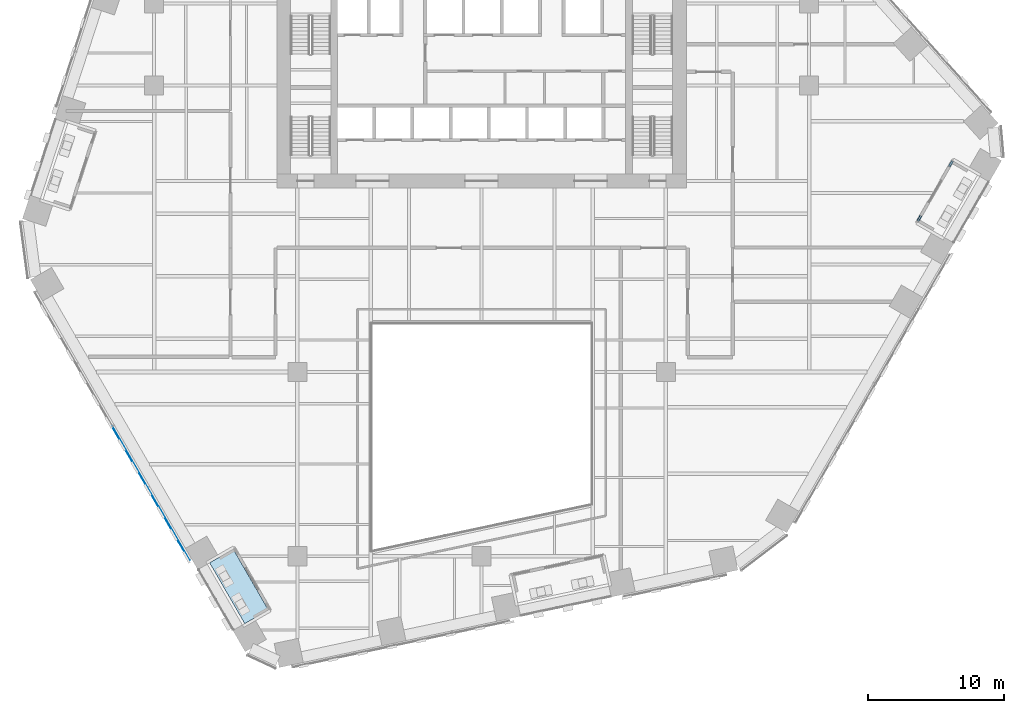
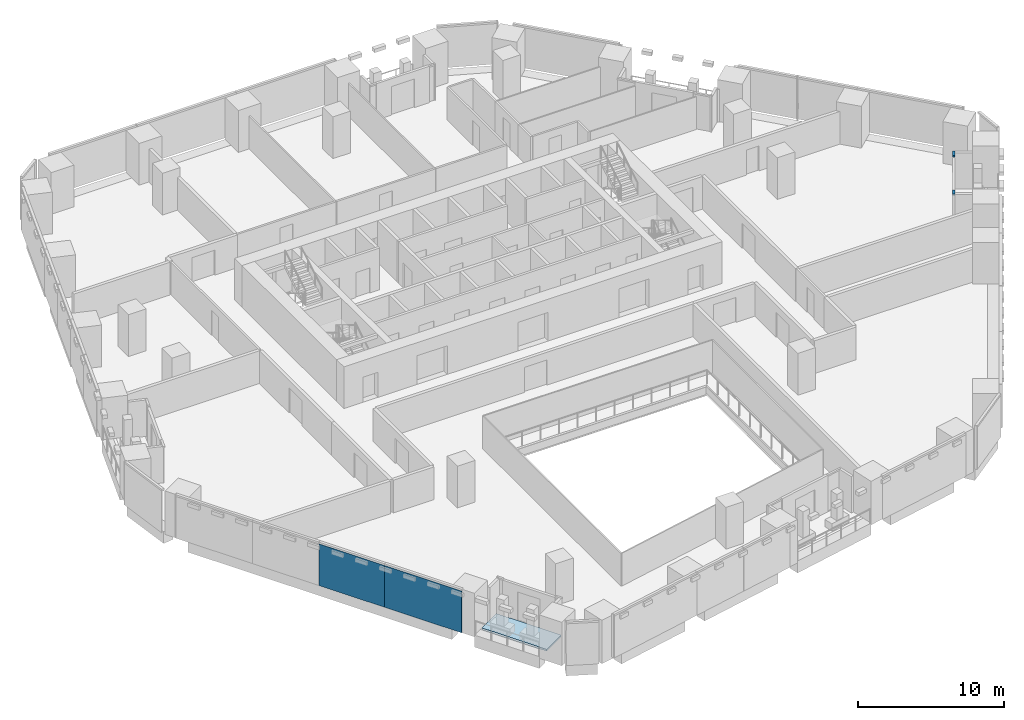
# One storey, part 15 of 31: 2 members, 2 plates, 1 slab, 2 elements without a shape of their own.
"""IFC4 building model written with IfcOpenShell, lengths in metres."""

from ifc_helpers import new_model, si_unit, direction, frame, origin, origin_2d, place, context, subcontext, project, spatial, polyline, rectangle, outline, extrude, material, layer, layer_set, material_profile, profile_set, type_object, element, aggregate, save


model = new_model("IFC4")

# Units and contexts
model_context = context("Model", 3, precision=1e-05, world=origin(), true_north=direction((0.0, 1.0)))
body_context = subcontext(model_context, "Body", "Model", "MODEL_VIEW")
ifc_project = project(units=[si_unit("LENGTHUNIT", "METRE"), si_unit("AREAUNIT", "SQUARE_METRE"), si_unit("VOLUMEUNIT", "CUBIC_METRE"), si_unit("PLANEANGLEUNIT", "RADIAN"), si_unit("MASSUNIT", "GRAM", prefix="KILO")], contexts=[model_context])

# Site, building, storey
site_placement = place(None, origin())
site = spatial("IfcSite", under=ifc_project, at=site_placement, CompositionType="ELEMENT")
building_placement = place(site_placement, origin())
building = spatial("IfcBuilding", under=site, at=building_placement, Name="Isthmus Gate Tower", CompositionType="ELEMENT")
storey_placement = place(building_placement, frame((0.0, 0.0, 39.64990234375)))
storey = spatial("IfcBuildingStorey", under=building, at=storey_placement, Name="L07", CompositionType="ELEMENT", Elevation=39.64990234375)

# Curtain wall, members
ifc_material_1 = material(Name="Aluminium, pale champagne anodised", Category="aluminium")
ifc_layer_1 = layer(ifc_material_1, 0.14990234375)
ifc_layer_set_1 = layer_set([ifc_layer_1], Name="CW-6 LOGGIA BACK WALL GLAZING 150 DEEP")
curtain_wall_type_1 = type_object("IfcCurtainWallType", Name="CW-6 LOGGIA BACK WALL GLAZING 150 DEEP", PredefinedType="NOTDEFINED", material=ifc_layer_set_1)
curtain_wall_1_placement = place(storey_placement, origin())
curtain_wall_1 = element("IfcCurtainWall", 1, at=curtain_wall_1_placement, inside=storey, type_object=curtain_wall_type_1, Name="CW-6 SE L07", PredefinedType="NOTDEFINED")
ifc_material_2 = material(Name="Aluminium, pale champagne anodised", Category="aluminium")
ifc_material_profile = material_profile(ifc_material_2, rectangle(XDim=0.14990234375, YDim=0.1201171875, at=origin_2d()), Name="150x120")
ifc_profile_set = profile_set([ifc_material_profile], Name="Aluminium, pale champagne anodised")
member_type = type_object("IfcMemberType", Name="CW-6 TRANSOM 150 X 120", PredefinedType="USERDEFINED", material=ifc_profile_set)
member_1_placement = place(storey_placement, frame((31.96142578125, -2.441162109375, 2.989990234375), z_axis=(0.499898558967, 0.866083962871, 0.0), x_axis=(-0.866083962871, 0.499898558967, 0.0)))
member_1 = element("IfcMember", 2, at=member_1_placement, type_object=member_type, Name="CW-6 transom", ObjectType="TRANSOM", PredefinedType="USERDEFINED", context=body_context, shape_type="SweptSolid", body=[
    extrude(rectangle(XDim=0.14990234375, YDim=0.1201171875, at=origin_2d()), origin(), (0.0, 0.0, 1.0), 0.43994140625),
])
member_2_placement = place(storey_placement, frame((34.266357421875, 1.55078125, 2.989990234375), z_axis=(0.499919672301, 0.866071776036, 0.0), x_axis=(-0.866071776036, 0.499919672301, 0.0)))
member_2 = element("IfcMember", 3, at=member_2_placement, type_object=member_type, Name="CW-6 transom", ObjectType="TRANSOM", PredefinedType="USERDEFINED", context=body_context, shape_type="SweptSolid", body=[
    extrude(rectangle(XDim=0.14990234375, YDim=0.1201171875, at=origin_2d()), origin(), (0.0, 0.0, 1.0), 0.5),
])
aggregate(curtain_wall_1, [member_1, member_2])

# Curtain wall, plates
ifc_material_3 = material(Name="Aluminium, pale champagne anodised", Category="aluminium")
ifc_layer_2 = layer(ifc_material_3, 0.199951171875)
ifc_layer_set_2 = layer_set([ifc_layer_2], Name="CW-1 UNITISED CURTAIN WALL 200 DEEP")
curtain_wall_type_2 = type_object("IfcCurtainWallType", Name="CW-1 UNITISED CURTAIN WALL 200 DEEP", PredefinedType="NOTDEFINED", material=ifc_layer_set_2)
curtain_wall_2_placement = place(storey_placement, origin())
curtain_wall_2 = element("IfcCurtainWall", 4, at=curtain_wall_2_placement, inside=storey, type_object=curtain_wall_type_2, Name="CW-1 SW L07", PredefinedType="NOTDEFINED")
ifc_material_4 = material(Name="Laminated low-iron glass, pale blue tint", Category="glass")
ifc_layer_3 = layer(ifc_material_4, 0.0400390625)
ifc_layer_set_3 = layer_set([ifc_layer_3], Name="CW-1 CLEAR GLASS LITE 40")
plate_type = type_object("IfcPlateType", Name="CW-1 CLEAR GLASS LITE 40", PredefinedType="CURTAIN_PANEL", material=ifc_layer_set_3)
plate_1_placement = place(storey_placement, frame((-25.7626953125, -19.73779296875, 0.0), z_axis=(0.0, 0.0, 1.0), x_axis=(0.5, -0.866025403784, 0.0)))
plate_1 = element("IfcPlate", 5, at=plate_1_placement, type_object=plate_type, Name="CW-1 glass lite", PredefinedType="CURTAIN_PANEL", context=body_context, shape_type="SweptSolid", body=[
    extrude(rectangle(XDim=5.173583984375, YDim=0.0400390625, at=origin_2d()), origin(), (0.0, 0.0, 1.0), 3.5),
])
plate_2_placement = place(storey_placement, frame((-22.935791015625, -24.634033203125, 0.0), z_axis=(0.0, 0.0, 1.0), x_axis=(0.5, -0.866025403784, 0.0)))
plate_2 = element("IfcPlate", 6, at=plate_2_placement, type_object=plate_type, Name="CW-1 glass lite", PredefinedType="CURTAIN_PANEL", context=body_context, shape_type="SweptSolid", body=[
    extrude(rectangle(XDim=6.133544921875, YDim=0.0400390625, at=origin_2d()), origin(), (0.0, 0.0, 1.0), 3.5),
])
aggregate(curtain_wall_2, [plate_1, plate_2])

# Slab
ifc_material_5 = material(Name="Concrete f'c 50 MPa", Category="concrete")
ifc_layer_4 = layer(ifc_material_5, 0.14990234375)
ifc_layer_set_4 = layer_set([ifc_layer_4], Name="LOGGIA FLOOR SLAB 150")
slab_type = type_object("IfcSlabType", Name="LOGGIA FLOOR SLAB 150", PredefinedType="FLOOR", material=ifc_layer_set_4)
slab_placement = place(storey_placement, frame((0.0, 0.0, -0.14990234375)))
element("IfcSlab", 7, at=slab_placement, inside=storey, type_object=slab_type, Name="LOGGIA FLOOR", PredefinedType="FLOOR", context=body_context, shape_type="SweptSolid", body=[
    extrude(outline(polyline([(-19.930419921875, -27.4794921875), (-17.358642578125, -31.933837890625), (-15.626708984375, -30.933837890625), (-18.198486328125, -26.4794921875), (-19.930419921875, -27.4794921875)])), origin(), (0.0, 0.0, 1.0), 0.14990234375),
])

save(model, "model.ifc")
